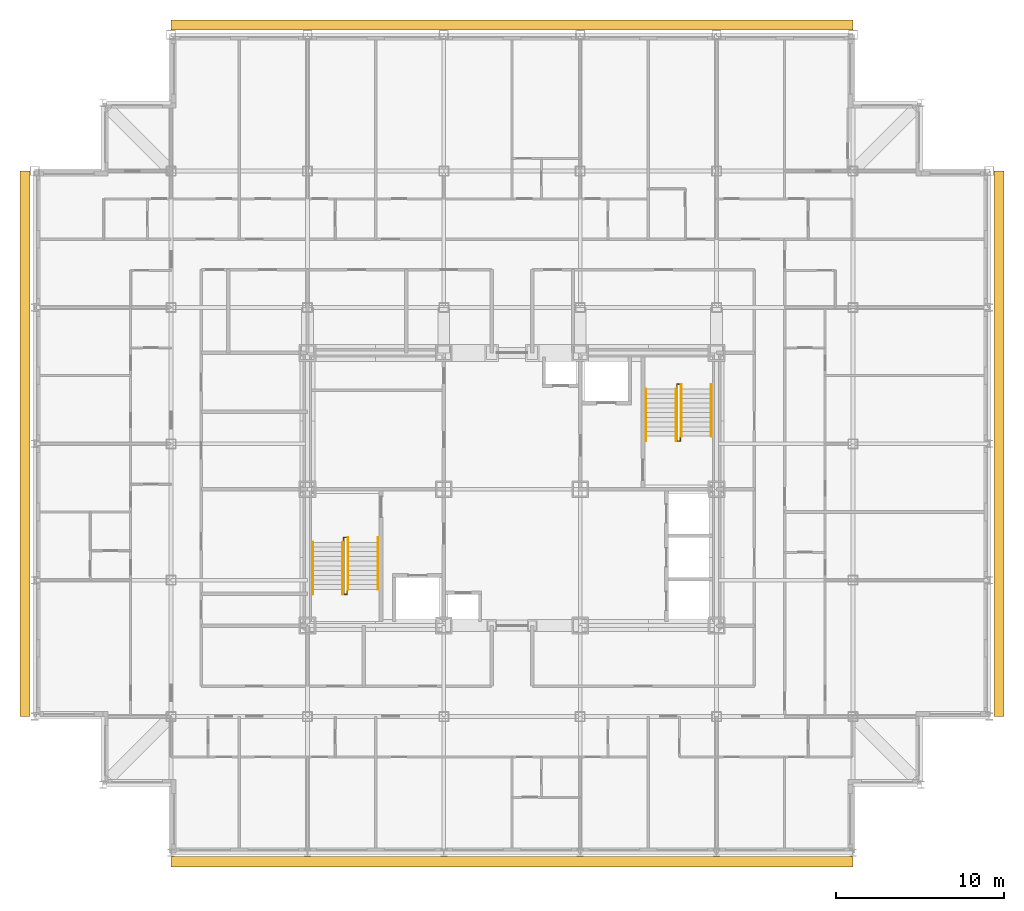
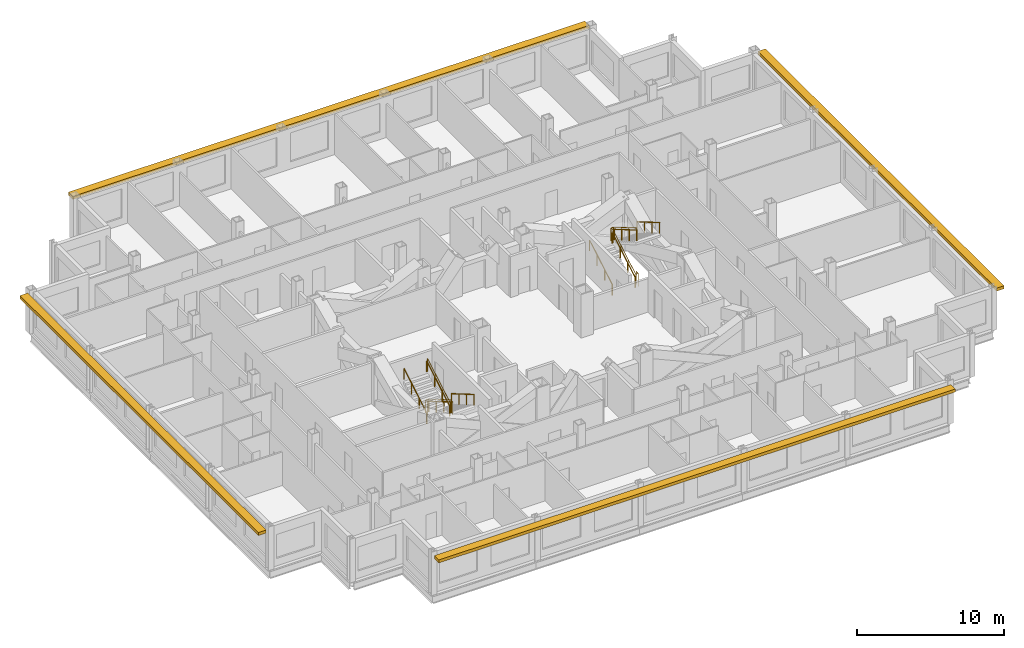
# One storey, part 12 of 12: 10 railings, 4 shading devices.
"""IFC4 building model written with IfcOpenShell, lengths in metres."""

from ifc_helpers import new_model, si_unit, direction, frame, origin, origin_2d, place, context, subcontext, project, spatial, rectangle, circle, extrude, material, type_object, element, save


model = new_model("IFC4")

# Units and contexts
model_context = context("Model", 3, precision=1e-05, world=origin(), true_north=direction((0.0, 1.0)))
body_context = subcontext(model_context, "Body", "Model", "MODEL_VIEW")
ifc_project = project(units=[si_unit("LENGTHUNIT", "METRE"), si_unit("AREAUNIT", "SQUARE_METRE"), si_unit("VOLUMEUNIT", "CUBIC_METRE"), si_unit("PLANEANGLEUNIT", "RADIAN"), si_unit("MASSUNIT", "GRAM", prefix="KILO")], contexts=[model_context])

# Site, building, storey
site_placement = place(None, origin())
site = spatial("IfcSite", under=ifc_project, at=site_placement, CompositionType="ELEMENT")
building_placement = place(site_placement, origin())
building = spatial("IfcBuilding", under=site, at=building_placement, Name="Kopane Lantern Tower", CompositionType="ELEMENT")
storey_placement = place(building_placement, frame((0.0, 0.0, 210.0)))
storey = spatial("IfcBuildingStorey", under=building, at=storey_placement, Name="L54", CompositionType="ELEMENT", Elevation=210.0)

# Railings
ifc_material_1 = material(Name="Steel", Category="steel")
railing_type_1 = type_object("IfcRailingType", Name="STAIR GUARD 1100", PredefinedType="GUARDRAIL", material=ifc_material_1)
railing_1_placement = place(storey_placement, frame((18.35009765625, 29.25, 0.0)))
element("IfcRailing", 1, at=railing_1_placement, inside=storey, type_object=railing_type_1, Name="ST1 well guard L54", PredefinedType="GUARDRAIL", context=body_context, shape_type="SweptSolid", body=[
    extrude(circle(Radius=0.02392578125, at=origin_2d()), frame((0.0, 0.0, 1.076171875), z_axis=(0.0, 1.0, 0.0), x_axis=(-1.0, 0.0, 0.0)), (0.0, 0.0, 1.0), 0.280029296875),
    extrude(circle(Radius=0.02392578125, at=origin_2d()), frame((0.0, 0.280029296875, 1.076171875), z_axis=(1.0, 0.0, 0.0), x_axis=(0.0, 1.0, 0.0)), (0.0, 0.0, 1.0), 0.199951171875),
    extrude(circle(Radius=0.02392578125, at=origin_2d()), frame((0.199951171875, 0.280029296875, 1.076171875), z_axis=(0.0, -0.863371556955, 0.504568681787), x_axis=(1.0, 0.0, 0.0)), (0.0, 0.0, 1.0), 3.5673828125),
    extrude(circle(Radius=0.02392578125, at=origin_2d()), frame((0.199951171875, -2.800048828125, 2.8759765625), z_axis=(0.0, -1.0, 0.0), x_axis=(1.0, 0.0, 0.0)), (0.0, 0.0, 1.0), 0.280029296875),
    extrude(circle(Radius=0.02392578125, at=origin_2d()), frame((0.199951171875, -3.080078125, 2.8759765625), z_axis=(-1.0, 0.0, 0.0), x_axis=(0.0, -1.0, 0.0)), (0.0, 0.0, 1.0), 0.199951171875),
    extrude(circle(Radius=0.02392578125, at=origin_2d()), frame((0.0, -3.080078125, 2.8759765625), z_axis=(0.0, 0.863371556955, 0.504568681787), x_axis=(-1.0, 0.0, 0.0)), (0.0, 0.0, 1.0), 3.5673828125),
    extrude(circle(Radius=0.02099609375, at=origin_2d()), origin(), (0.0, 0.0, 1.0), 1.052001953125),
    extrude(circle(Radius=0.02099609375, at=origin_2d()), frame((0.0, 0.280029296875, 0.0)), (0.0, 0.0, 1.0), 1.052001953125),
    extrude(circle(Radius=0.02099609375, at=origin_2d()), frame((0.199951171875, 0.280029296875, 0.0)), (0.0, 0.0, 1.0), 1.052001953125),
    extrude(circle(Radius=0.02099609375, at=origin_2d()), frame((0.199951171875, -0.74658203125, 0.60009765625)), (0.0, 0.0, 1.0), 1.052001953125),
    extrude(circle(Radius=0.02099609375, at=origin_2d()), frame((0.199951171875, -1.7734375, 1.199951171875)), (0.0, 0.0, 1.0), 1.052001953125),
    extrude(circle(Radius=0.02099609375, at=origin_2d()), frame((0.199951171875, -2.800048828125, 1.800048828125)), (0.0, 0.0, 1.0), 1.052001953125),
    extrude(circle(Radius=0.02099609375, at=origin_2d()), frame((0.199951171875, -3.080078125, 1.800048828125)), (0.0, 0.0, 1.0), 1.052001953125),
    extrude(circle(Radius=0.02099609375, at=origin_2d()), frame((0.0, -3.080078125, 1.800048828125)), (0.0, 0.0, 1.0), 1.052001953125),
    extrude(circle(Radius=0.02099609375, at=origin_2d()), frame((0.0, -2.053466796875, 2.400146484375)), (0.0, 0.0, 1.0), 1.052001953125),
    extrude(circle(Radius=0.02099609375, at=origin_2d()), frame((0.0, -1.026611328125, 3.0)), (0.0, 0.0, 1.0), 1.052001953125),
    extrude(circle(Radius=0.02099609375, at=origin_2d()), frame((0.0, 0.0, 3.60009765625)), (0.0, 0.0, 1.0), 1.052001953125),
])
railing_2_placement = place(storey_placement, frame((38.35009765625, 35.550048828125, 0.0)))
element("IfcRailing", 2, at=railing_2_placement, inside=storey, type_object=railing_type_1, Name="ST2 well guard L54", PredefinedType="GUARDRAIL", context=body_context, shape_type="SweptSolid", body=[
    extrude(circle(Radius=0.02392578125, at=origin_2d()), frame((0.0, 0.0, 1.076171875), z_axis=(0.0, -1.0, 0.0), x_axis=(1.0, 0.0, 0.0)), (0.0, 0.0, 1.0), 0.280029296875),
    extrude(circle(Radius=0.02392578125, at=origin_2d()), frame((0.0, -0.280029296875, 1.076171875), z_axis=(-1.0, 0.0, 0.0), x_axis=(0.0, -1.0, 0.0)), (0.0, 0.0, 1.0), 0.2001953125),
    extrude(circle(Radius=0.02392578125, at=origin_2d()), frame((-0.2001953125, -0.280029296875, 1.076171875), z_axis=(0.0, 0.863371556955, 0.504568681787), x_axis=(-1.0, 0.0, 0.0)), (0.0, 0.0, 1.0), 3.5673828125),
    extrude(circle(Radius=0.02392578125, at=origin_2d()), frame((-0.2001953125, 2.800048828125, 2.8759765625), z_axis=(0.0, 1.0, 0.0), x_axis=(-1.0, 0.0, 0.0)), (0.0, 0.0, 1.0), 0.27978515625),
    extrude(circle(Radius=0.02392578125, at=origin_2d()), frame((-0.2001953125, 3.079833984375, 2.8759765625), z_axis=(1.0, 0.0, 0.0), x_axis=(0.0, 1.0, 0.0)), (0.0, 0.0, 1.0), 0.2001953125),
    extrude(circle(Radius=0.02392578125, at=origin_2d()), frame((0.0, 3.079833984375, 2.8759765625), z_axis=(0.0, -0.863354132664, 0.504598495452), x_axis=(1.0, 0.0, 0.0)), (0.0, 0.0, 1.0), 3.5673828125),
    extrude(circle(Radius=0.02099609375, at=origin_2d()), origin(), (0.0, 0.0, 1.0), 1.052001953125),
    extrude(circle(Radius=0.02099609375, at=origin_2d()), frame((0.0, -0.280029296875, 0.0)), (0.0, 0.0, 1.0), 1.052001953125),
    extrude(circle(Radius=0.02099609375, at=origin_2d()), frame((-0.2001953125, -0.280029296875, 0.0)), (0.0, 0.0, 1.0), 1.052001953125),
    extrude(circle(Radius=0.02099609375, at=origin_2d()), frame((-0.2001953125, 0.74658203125, 0.60009765625)), (0.0, 0.0, 1.0), 1.052001953125),
    extrude(circle(Radius=0.02099609375, at=origin_2d()), frame((-0.2001953125, 1.7734375, 1.199951171875)), (0.0, 0.0, 1.0), 1.052001953125),
    extrude(circle(Radius=0.02099609375, at=origin_2d()), frame((-0.2001953125, 2.800048828125, 1.800048828125)), (0.0, 0.0, 1.0), 1.052001953125),
    extrude(circle(Radius=0.02099609375, at=origin_2d()), frame((-0.2001953125, 3.079833984375, 1.800048828125)), (0.0, 0.0, 1.0), 1.052001953125),
    extrude(circle(Radius=0.02099609375, at=origin_2d()), frame((0.0, 3.079833984375, 1.800048828125)), (0.0, 0.0, 1.0), 1.052001953125),
    extrude(circle(Radius=0.02099609375, at=origin_2d()), frame((0.0, 2.05322265625, 2.400146484375)), (0.0, 0.0, 1.0), 1.052001953125),
    extrude(circle(Radius=0.02099609375, at=origin_2d()), frame((0.0, 1.026611328125, 3.0)), (0.0, 0.0, 1.0), 1.052001953125),
    extrude(circle(Radius=0.02099609375, at=origin_2d()), frame((0.0, 0.0, 3.60009765625)), (0.0, 0.0, 1.0), 1.052001953125),
])
ifc_material_2 = material(Name="Steel", Category="steel")
railing_type_2 = type_object("IfcRailingType", Name="STAIR HANDRAIL 900", PredefinedType="HANDRAIL", material=ifc_material_2)
for number, where, name in (
    (3, (20.389892578125, 29.530029296875, 0.0), "ST1 handrail L54 flight 1"),
    (4, (18.610107421875, 29.530029296875, 0.0), "ST1 handrail L54 flight 1"),
):
    element("IfcRailing", number, at=place(storey_placement, frame(where)), inside=storey, type_object=railing_type_2, Name=name, PredefinedType="HANDRAIL", context=body_context, shape_type="SweptSolid", body=[
        extrude(circle(Radius=0.02392578125, at=origin_2d()), frame((0.0, 0.0, 0.8759765625), z_axis=(0.0, -0.863371556955, 0.504568681787), x_axis=(1.0, 0.0, 0.0)), (0.0, 0.0, 1.0), 3.5673828125),
        extrude(circle(Radius=0.02099609375, at=origin_2d()), origin(), (0.0, 0.0, 1.0), 0.851806640625),
        extrude(circle(Radius=0.02099609375, at=origin_2d()), frame((0.0, -1.026611328125, 0.60009765625)), (0.0, 0.0, 1.0), 0.851806640625),
        extrude(circle(Radius=0.02099609375, at=origin_2d()), frame((0.0, -2.053466796875, 1.199951171875)), (0.0, 0.0, 1.0), 0.851806640625),
        extrude(circle(Radius=0.02099609375, at=origin_2d()), frame((0.0, -3.080078125, 1.800048828125)), (0.0, 0.0, 1.0), 0.851806640625),
    ])
for number, where, name in (
    (5, (16.510009765625, 26.169921875, 1.800048828125), "ST1 handrail L54 flight 2"),
    (6, (18.2900390625, 26.169921875, 1.800048828125), "ST1 handrail L54 flight 2"),
    (7, (36.31005859375, 35.27001953125, 0.0), "ST2 handrail L54 flight 1"),
    (8, (38.090087890625, 35.27001953125, 0.0), "ST2 handrail L54 flight 1"),
):
    element("IfcRailing", number, at=place(storey_placement, frame(where)), inside=storey, type_object=railing_type_2, Name=name, PredefinedType="HANDRAIL", context=body_context, shape_type="SweptSolid", body=[
        extrude(circle(Radius=0.02392578125, at=origin_2d()), frame((0.0, 0.0, 0.8759765625), z_axis=(0.0, 0.863371556955, 0.504568681787), x_axis=(-1.0, 0.0, 0.0)), (0.0, 0.0, 1.0), 3.5673828125),
        extrude(circle(Radius=0.02099609375, at=origin_2d()), origin(), (0.0, 0.0, 1.0), 0.851806640625),
        extrude(circle(Radius=0.02099609375, at=origin_2d()), frame((0.0, 1.026611328125, 0.60009765625)), (0.0, 0.0, 1.0), 0.851806640625),
        extrude(circle(Radius=0.02099609375, at=origin_2d()), frame((0.0, 2.053466796875, 1.199951171875)), (0.0, 0.0, 1.0), 0.851806640625),
        extrude(circle(Radius=0.02099609375, at=origin_2d()), frame((0.0, 3.080078125, 1.800048828125)), (0.0, 0.0, 1.0), 0.851806640625),
    ])
for number, where, name in (
    (9, (40.18994140625, 38.6298828125, 1.800048828125), "ST2 handrail L54 flight 2"),
    (10, (38.409912109375, 38.6298828125, 1.800048828125), "ST2 handrail L54 flight 2"),
):
    element("IfcRailing", number, at=place(storey_placement, frame(where)), inside=storey, type_object=railing_type_2, Name=name, PredefinedType="HANDRAIL", context=body_context, shape_type="SweptSolid", body=[
        extrude(circle(Radius=0.02392578125, at=origin_2d()), frame((0.0, 0.0, 0.8759765625), z_axis=(0.0, -0.863354132664, 0.504598495452), x_axis=(1.0, 0.0, 0.0)), (0.0, 0.0, 1.0), 3.5673828125),
        extrude(circle(Radius=0.02099609375, at=origin_2d()), origin(), (0.0, 0.0, 1.0), 0.851806640625),
        extrude(circle(Radius=0.02099609375, at=origin_2d()), frame((0.0, -1.026611328125, 0.60009765625)), (0.0, 0.0, 1.0), 0.851806640625),
        extrude(circle(Radius=0.02099609375, at=origin_2d()), frame((0.0, -2.05322265625, 1.199951171875)), (0.0, 0.0, 1.0), 0.851806640625),
        extrude(circle(Radius=0.02099609375, at=origin_2d()), frame((0.0, -3.079833984375, 1.800048828125)), (0.0, 0.0, 1.0), 0.851806640625),
    ])

# Shading devices
ifc_material_3 = material(Name="Terracotta rainscreen on light steel framing", Category="masonry")
shading_device_type = type_object("IfcShadingDeviceType", Name="SUNSHADE BAND SB1 600 TERRACOTTA", PredefinedType="USERDEFINED", material=ifc_material_3)
shading_device_1_placement = place(storey_placement, frame((28.35009765625, 10.272216796875, 3.0), z_axis=(0.0, 0.0, 1.0), x_axis=(1.0, 0.0, 0.0)))
element("IfcShadingDevice", 11, at=shading_device_1_placement, inside=storey, type_object=shading_device_type, Name="Sunshade band S L54", ObjectType="SUNSHADE BAND", PredefinedType="USERDEFINED", context=body_context, shape_type="SweptSolid", body=[
    extrude(rectangle(XDim=40.5, YDim=0.60009765625, at=origin_2d()), origin(), (0.0, 0.0, 1.0), 0.25),
])
shading_device_2_placement = place(storey_placement, frame((57.27490234375, 35.10009765625, 3.0), z_axis=(0.0, 0.0, 1.0), x_axis=(0.0, 1.0, 0.0)))
element("IfcShadingDevice", 12, at=shading_device_2_placement, inside=storey, type_object=shading_device_type, Name="Sunshade band E L54", ObjectType="SUNSHADE BAND", PredefinedType="USERDEFINED", context=body_context, shape_type="SweptSolid", body=[
    extrude(rectangle(XDim=32.39990234375, YDim=0.60009765625, at=origin_2d()), origin(), (0.0, 0.0, 1.0), 0.25),
])
shading_device_3_placement = place(storey_placement, frame((28.35009765625, 59.97509765625, 3.0), z_axis=(0.0, 0.0, 1.0), x_axis=(-1.0, 0.0, 0.0)))
element("IfcShadingDevice", 13, at=shading_device_3_placement, inside=storey, type_object=shading_device_type, Name="Sunshade band N L54", ObjectType="SUNSHADE BAND", PredefinedType="USERDEFINED", context=body_context, shape_type="SweptSolid", body=[
    extrude(rectangle(XDim=40.5, YDim=0.60009765625, at=origin_2d()), origin(), (0.0, 0.0, 1.0), 0.25),
])
shading_device_4_placement = place(storey_placement, frame((-0.574951171875, 35.10009765625, 3.0), z_axis=(0.0, 0.0, 1.0), x_axis=(0.0, -1.0, 0.0)))
element("IfcShadingDevice", 14, at=shading_device_4_placement, inside=storey, type_object=shading_device_type, Name="Sunshade band W L54", ObjectType="SUNSHADE BAND", PredefinedType="USERDEFINED", context=body_context, shape_type="SweptSolid", body=[
    extrude(rectangle(XDim=32.39990234375, YDim=0.60009765625, at=origin_2d()), origin(), (0.0, 0.0, 1.0), 0.25),
])

save(model, "model.ifc")
